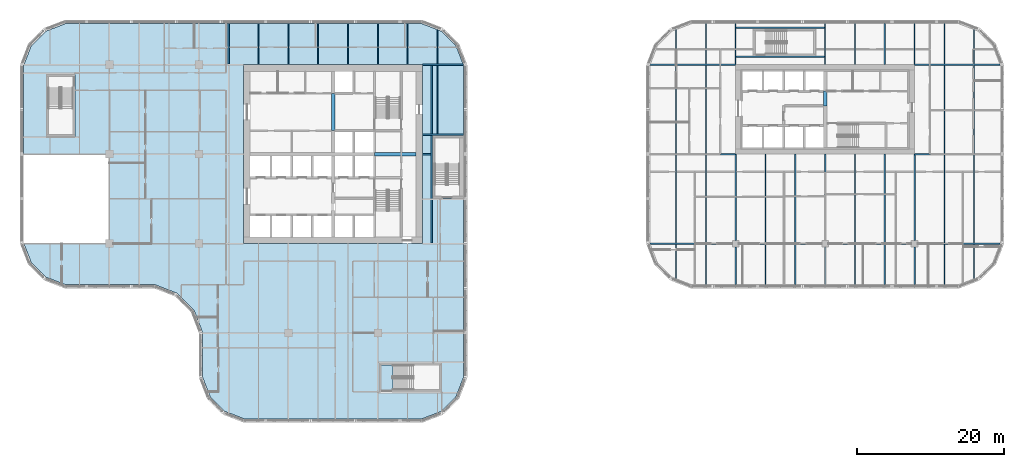
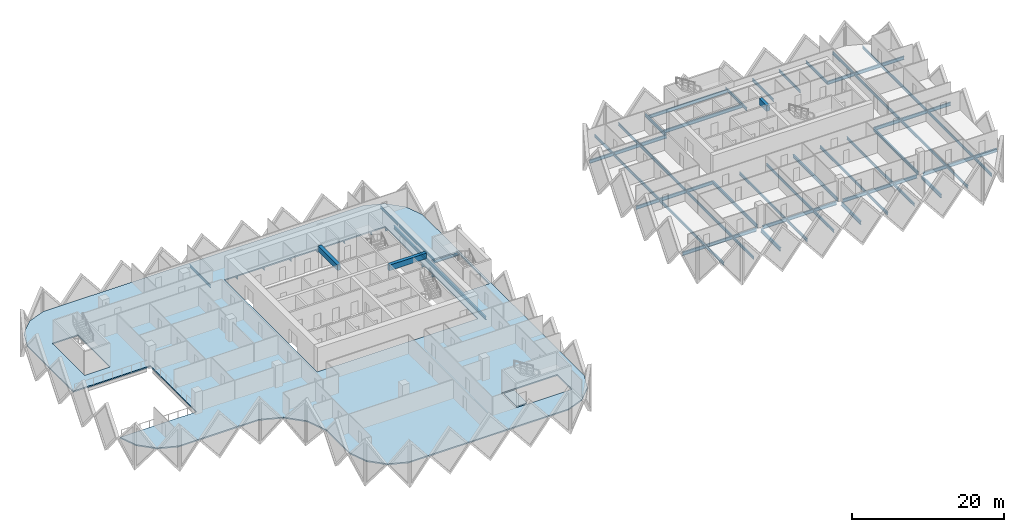
# One storey, part 2 of 19: 61 beams, 2 slabs.
"""IFC4 building model written with IfcOpenShell, lengths in metres."""

import ifcopenshell
import ifcopenshell.guid

model = None  # the IFC model being written
_history = None  # IfcOwnerHistory: only IFC2X3 demands one
_inside = {}  # id of a spatial element -> (the spatial element, [elements in it])
_under = {}  # id of a project, library or spatial element -> (it, [spatial elements below it])
_declared = {}  # id of a project -> (the project, [libraries it declares])
_typed = {}  # id of a type object -> (the type object, [elements of that type])
_made_of = {}  # id of a material, layer set ... -> (it, [elements and type objects made of it])


def new_model(schema):
    """Start an empty IFC model of exactly this schema.

    Asked for "IFC4X3", IfcOpenShell would pick the latest addendum, in which some entities
    have other attributes; the version numbers below select the first issue.
    IFC2X3 requires an IfcOwnerHistory on every rooted entity: one is made here for all.
    """
    global model, _history
    if schema == "IFC4X3":
        model = ifcopenshell.file(schema_version=(4, 3, 0, 0))
    else:
        model = ifcopenshell.file(schema=schema)
    _inside.clear()
    _under.clear()
    _declared.clear()
    _typed.clear()
    _made_of.clear()
    _history = None
    if model.schema == "IFC2X3":
        org = make("IfcOrganization", Name="unknown")
        user = make(
            "IfcPersonAndOrganization",
            ThePerson=make("IfcPerson", FamilyName="unknown"),
            TheOrganization=org,
        )
        app = make(
            "IfcApplication",
            ApplicationDeveloper=org,
            Version="unknown",
            ApplicationFullName="unknown",
            ApplicationIdentifier="unknown",
        )
        _history = make(
            "IfcOwnerHistory",
            OwningUser=user,
            OwningApplication=app,
            ChangeAction="ADDED",
            CreationDate=0,
        )
    return model


def make(cls, **values):
    """One entity of the class cls with the attributes given. An attribute that is None is left unset."""
    return model.create_entity(
        cls, **{name: value for name, value in values.items() if value is not None}
    )


def rooted(cls, **values):
    """An entity with a GlobalId (a new one), such as an element, a storey or a relation."""
    return make(cls, GlobalId=ifcopenshell.guid.new(), OwnerHistory=_history, **values)


def si_unit(unit_type, name, prefix=None):
    """IfcSIUnit, for example si_unit("LENGTHUNIT", "METRE", prefix="MILLI")."""
    return make("IfcSIUnit", UnitType=unit_type, Prefix=prefix, Name=name)


def assignment(units):
    """IfcUnitAssignment: the units of a project."""
    return None if units is None else make("IfcUnitAssignment", Units=units)


def point(xyz):
    """IfcCartesianPoint."""
    return None if xyz is None else make("IfcCartesianPoint", Coordinates=xyz)


def direction(xyz):
    """IfcDirection."""
    return None if xyz is None else make("IfcDirection", DirectionRatios=xyz)


def frame(location, z_axis=None, x_axis=None):
    """IfcAxis2Placement3D, a coordinate frame: its origin and axes. An axis left out is left unset."""
    return make(
        "IfcAxis2Placement3D",
        Location=point(location),
        Axis=direction(z_axis),
        RefDirection=direction(x_axis),
    )


def frame_2d(location, x_axis=None):
    """IfcAxis2Placement2D, a coordinate frame in the plane: its origin and x axis."""
    return make(
        "IfcAxis2Placement2D", Location=point(location), RefDirection=direction(x_axis)
    )


def origin():
    """The frame at (0, 0, 0) with its axes left unset."""
    return frame((0.0, 0.0, 0.0))


def origin_2d():
    """The frame at (0, 0) in the plane with its x axis left unset."""
    return frame_2d((0.0, 0.0))


def place(relative_to, where):
    """IfcLocalPlacement: puts the frame where relative to a parent placement (None: the world)."""
    return make(
        "IfcLocalPlacement", PlacementRelTo=relative_to, RelativePlacement=where
    )


def context(
    kind, dimensions, precision=None, world=None, true_north=None, identifier=None
):
    """IfcGeometricRepresentationContext, for example the 3D "Model" context."""
    return make(
        "IfcGeometricRepresentationContext",
        ContextIdentifier=identifier,
        ContextType=kind,
        CoordinateSpaceDimension=dimensions,
        Precision=precision,
        WorldCoordinateSystem=world,
        TrueNorth=true_north,
    )


def subcontext(parent, identifier, kind, view, scale=None):
    """IfcGeometricRepresentationSubContext, for example "Body" below "Model"."""
    return make(
        "IfcGeometricRepresentationSubContext",
        ContextIdentifier=identifier,
        ContextType=kind,
        ParentContext=parent,
        TargetScale=scale,
        TargetView=view,
    )


def project(units=None, contexts=None):
    """IfcProject with its units and contexts."""
    return rooted(
        "IfcProject",
        Name="project",
        RepresentationContexts=contexts,
        UnitsInContext=assignment(units),
    )


def spatial(cls, under=None, at=None, **own):
    """A site, building, storey or space (cls), placed at a placement, below another one or the project."""
    s = rooted(cls, ObjectPlacement=at, **own)
    if under is not None:
        _under.setdefault(under.id(), (under, []))[1].append(s)
    return s


def polyline(points):
    """IfcPolyline through the points."""
    return make("IfcPolyline", Points=[point(p) for p in points])


def profile(cls, at=None, kind="AREA", **sizes):
    """A parametric profile (cls). Its sizes go by their IFC names, for example OverallWidth=200.0."""
    return make(cls, ProfileType=kind, Position=at, **sizes)


def rectangle(**sizes):
    """IfcRectangleProfileDef."""
    return profile("IfcRectangleProfileDef", **sizes)


def i_section(**sizes):
    """IfcIShapeProfileDef."""
    return profile("IfcIShapeProfileDef", **sizes)


def outline(outer, holes=None, kind="AREA"):
    """IfcArbitraryClosedProfileDef: a profile drawn as a closed curve; with holes, ...WithVoids."""
    if holes is None:
        return make("IfcArbitraryClosedProfileDef", ProfileType=kind, OuterCurve=outer)
    return make(
        "IfcArbitraryProfileDefWithVoids",
        ProfileType=kind,
        OuterCurve=outer,
        InnerCurves=holes,
    )


def extrude(swept, where, along, depth):
    """IfcExtrudedAreaSolid: the profile swept, set in the frame where, extruded along a direction by depth."""
    return make(
        "IfcExtrudedAreaSolid",
        SweptArea=swept,
        Position=where,
        ExtrudedDirection=direction(along),
        Depth=depth,
    )


def shape(context_of_items, identifier, shape_type, items):
    """IfcShapeRepresentation: the items that make up one representation, for example the "Body"."""
    return make(
        "IfcShapeRepresentation",
        ContextOfItems=context_of_items,
        RepresentationIdentifier=identifier,
        RepresentationType=shape_type,
        Items=items,
    )


def material(Name=None, Category=None):
    """IfcMaterial."""
    return make("IfcMaterial", Name=Name, Category=Category)


def layer(
    of_material, thickness, ventilated=None, Name=None, Category=None, Priority=None
):
    """IfcMaterialLayer: one layer of a wall or slab, of a material (None: an air gap)."""
    return make(
        "IfcMaterialLayer",
        Material=of_material,
        LayerThickness=thickness,
        IsVentilated=ventilated,
        Name=Name,
        Category=Category,
        Priority=Priority,
    )


def layer_set(layers, Name=None):
    """IfcMaterialLayerSet."""
    return make("IfcMaterialLayerSet", MaterialLayers=layers, LayerSetName=Name)


def material_profile(
    of_material, cross_section, Name=None, Category=None, Priority=None
):
    """IfcMaterialProfile: a cross section and its material."""
    return make(
        "IfcMaterialProfile",
        Name=Name,
        Material=of_material,
        Profile=cross_section,
        Priority=Priority,
        Category=Category,
    )


def profile_set(profiles, Name=None, composite=None):
    """IfcMaterialProfileSet."""
    return make(
        "IfcMaterialProfileSet",
        Name=Name,
        MaterialProfiles=profiles,
        CompositeProfile=composite,
    )


def made_of(thing, what):
    """Note that an element or type object is made of a material, layer set ...; save() writes the relation."""
    if what is not None:
        _made_of.setdefault(what.id(), (what, []))[1].append(thing)
    return thing


def type_object(cls, material=None, **own):
    """A type object (cls), such as IfcWallType, which elements share."""
    return made_of(rooted(cls, **own), material)


def element(
    cls,
    number,
    at=None,
    inside=None,
    cuts=None,
    type_object=None,
    material=None,
    context=None,
    identifier="Body",
    shape_type=None,
    held_by="IfcProductDefinitionShape",
    body=None,
    shapes=None,
    **own,
):
    """One element of the class cls, such as IfcWall. Its Tag is "e" and its number.

    at: its placement. inside: the storey or other place that contains it. cuts: it is an
    opening in that element (IfcRelVoidsElement). A single representation is given by context,
    identifier, shape_type and body (its items); several are given by shapes. held_by: the class
    of the entity that holds the representations. save() writes the other relations.
    """
    e = rooted(cls, Tag="e%d" % number, ObjectPlacement=at, **own)
    if body is not None:
        shapes = [shape(context, identifier, shape_type, body)]
    if shapes is not None:
        e.Representation = make(held_by, Representations=shapes)
    if inside is not None:
        _inside.setdefault(inside.id(), (inside, []))[1].append(e)
    if cuts is not None:
        rooted(
            "IfcRelVoidsElement", RelatingBuildingElement=cuts, RelatedOpeningElement=e
        )
    if type_object is not None:
        _typed.setdefault(type_object.id(), (type_object, []))[1].append(e)
    return made_of(e, material)


def aggregate(whole, parts):
    """IfcRelAggregates: a whole, such as a stair, and the parts it consists of."""
    return rooted("IfcRelAggregates", RelatingObject=whole, RelatedObjects=parts)


def save(model, path):
    """Write the relations noted so far, then the file.

    IfcRelAggregates (storeys below a building ...), IfcRelContainedInSpatialStructure (elements
    in a storey), IfcRelDefinesByType, IfcRelAssociatesMaterial and IfcRelDeclares: one each for
    every whole, place, type object, material and project.
    """
    for whole, parts in _under.values():
        aggregate(whole, parts)
    for where, things in _inside.values():
        rooted(
            "IfcRelContainedInSpatialStructure",
            RelatedElements=things,
            RelatingStructure=where,
        )
    for kind, things in _typed.values():
        rooted("IfcRelDefinesByType", RelatedObjects=things, RelatingType=kind)
    for what, things in _made_of.values():
        rooted("IfcRelAssociatesMaterial", RelatedObjects=things, RelatingMaterial=what)
    for by, libraries in _declared.values():
        rooted("IfcRelDeclares", RelatingContext=by, RelatedDefinitions=libraries)
    model.write(path)


model = new_model("IFC4")

# Units and contexts
model_context = context("Model", 3, precision=1e-05, world=origin(), true_north=direction((0.0, 1.0)))
body_context = subcontext(model_context, "Body", "Model", "MODEL_VIEW")
ifc_project = project(units=[si_unit("LENGTHUNIT", "METRE"), si_unit("AREAUNIT", "SQUARE_METRE"), si_unit("VOLUMEUNIT", "CUBIC_METRE"), si_unit("PLANEANGLEUNIT", "RADIAN"), si_unit("MASSUNIT", "GRAM", prefix="KILO")], contexts=[model_context])

# Site, building, storey
site_placement = place(None, origin())
site = spatial("IfcSite", under=ifc_project, at=site_placement, CompositionType="ELEMENT")
building_placement = place(site_placement, origin())
building = spatial("IfcBuilding", under=site, at=building_placement, Name="Tessera Gate Towers", CompositionType="ELEMENT")
storey_placement = place(building_placement, frame((0.0, 0.0, 33.39990234375)))
storey = spatial("IfcBuildingStorey", under=building, at=storey_placement, Name="L07", CompositionType="ELEMENT", Elevation=33.39990234375)

# Beams
ifc_material_1 = material(Name="Concrete C60/75", Category="concrete")
ifc_material_profile_1 = material_profile(ifc_material_1, rectangle(XDim=0.5, YDim=0.89990234375, at=origin_2d()), Name="RC 500x900")
ifc_profile_set_1 = profile_set([ifc_material_profile_1], Name="Concrete C60/75")
beam_type_1 = type_object("IfcBeamType", Name="COUPLING BEAM 500x900 C60/75", PredefinedType="BEAM", material=ifc_profile_set_1)
beam_1_placement = place(storey_placement, frame((109.800048828125, 43.199951171875, 3.150146484375), z_axis=(0.0, 1.0, 0.0), x_axis=(-1.0, 0.0, 0.0)))
element("IfcBeam", 1, at=beam_1_placement, inside=storey, type_object=beam_type_1, Name="L07 coupling beam 1", PredefinedType="BEAM", context=body_context, shape_type="SweptSolid", body=[
    extrude(rectangle(XDim=0.5, YDim=0.89990234375, at=origin_2d()), origin(), (0.0, 0.0, 1.0), 2.0),
])
ifc_material_2 = material(Name="Concrete C70/85", Category="concrete")
ifc_material_profile_2 = material_profile(ifc_material_2, rectangle(XDim=0.5, YDim=0.89990234375, at=origin_2d()), Name="RC 500x900")
ifc_profile_set_2 = profile_set([ifc_material_profile_2], Name="Concrete C70/85")
beam_type_2 = type_object("IfcBeamType", Name="COUPLING BEAM 500x900 C70/85", PredefinedType="BEAM", material=ifc_profile_set_2)
beam_2_placement = place(storey_placement, frame((48.35009765625, 36.60009765625, 3.150146484375), z_axis=(1.0, 0.0, 0.0), x_axis=(0.0, 1.0, 0.0)))
element("IfcBeam", 2, at=beam_2_placement, inside=storey, type_object=beam_type_2, Name="L07 coupling beam 1", PredefinedType="BEAM", context=body_context, shape_type="SweptSolid", body=[
    extrude(rectangle(XDim=0.5, YDim=0.89990234375, at=origin_2d()), origin(), (0.0, 0.0, 1.0), 5.64990234375),
])
beam_3_placement = place(storey_placement, frame((42.699951171875, 39.800048828125, 3.150146484375), z_axis=(0.0, 1.0, 0.0), x_axis=(-1.0, 0.0, 0.0)))
element("IfcBeam", 3, at=beam_3_placement, inside=storey, type_object=beam_type_2, Name="L07 coupling beam 2", PredefinedType="BEAM", context=body_context, shape_type="SweptSolid", body=[
    extrude(rectangle(XDim=0.5, YDim=0.89990234375, at=origin_2d()), origin(), (0.0, 0.0, 1.0), 5.099853515625),
])
ifc_material_3 = material(Name="Steel 350W", Category="steel")
ifc_material_profile_3 = material_profile(ifc_material_3, i_section(OverallWidth=0.208984375, OverallDepth=0.532958984375, WebThickness=0.01025390625, FlangeThickness=0.015625, at=origin_2d()), Name="W530x92")
ifc_profile_set_3 = profile_set([ifc_material_profile_3], Name="Steel 350W")
beam_type_3 = type_object("IfcBeamType", Name="FLOOR GIRDER W530x92", PredefinedType="BEAM", material=ifc_profile_set_3)
beam_4_placement = place(storey_placement, frame((54.89892578125, 36.60009765625, -0.46630859375), z_axis=(1.0, 0.0, 0.0), x_axis=(0.0, 1.0, 0.0)))
element("IfcBeam", 4, at=beam_4_placement, inside=storey, type_object=beam_type_3, Name="T1-GD-L07-1167", PredefinedType="BEAM", context=body_context, shape_type="SweptSolid", body=[
    extrude(i_section(OverallWidth=0.208984375, OverallDepth=0.532958984375, WebThickness=0.01025390625, FlangeThickness=0.015625, at=origin_2d()), origin(), (0.0, 0.0, 1.0), 1.176513671875),
])
beam_5_placement = place(storey_placement, frame((54.90087890625, 48.800048828125, -0.46630859375), z_axis=(1.0, 0.0, 0.0), x_axis=(0.0, 1.0, 0.0)))
element("IfcBeam", 5, at=beam_5_placement, inside=storey, type_object=beam_type_3, Name="T1-GD-L07-1171", PredefinedType="BEAM", context=body_context, shape_type="SweptSolid", body=[
    extrude(i_section(OverallWidth=0.208984375, OverallDepth=0.532958984375, WebThickness=0.01025390625, FlangeThickness=0.015625, at=origin_2d()), origin(), (0.0, 0.0, 1.0), 5.564208984375),
])
beam_6_placement = place(storey_placement, frame((54.89892578125, 39.219970703125, -0.46630859375), z_axis=(1.0, 0.0, 0.0), x_axis=(0.0, 1.0, 0.0)))
element("IfcBeam", 6, at=beam_6_placement, inside=storey, type_object=beam_type_3, Name="T1-GD-L07-1189", PredefinedType="BEAM", context=body_context, shape_type="SweptSolid", body=[
    extrude(i_section(OverallWidth=0.208984375, OverallDepth=0.532958984375, WebThickness=0.01025390625, FlangeThickness=0.015625, at=origin_2d()), origin(), (0.0, 0.0, 1.0), 5.60205078125),
])
beam_7_placement = place(storey_placement, frame((56.179931640625, 24.50439453125, -0.46630859375), z_axis=(0.0, 1.0, 0.0), x_axis=(-1.0, 0.0, 0.0)))
element("IfcBeam", 7, at=beam_7_placement, inside=storey, type_object=beam_type_3, Name="T1-GD-L07-1190", PredefinedType="BEAM", context=body_context, shape_type="SweptSolid", body=[
    extrude(i_section(OverallWidth=0.208984375, OverallDepth=0.532958984375, WebThickness=0.01025390625, FlangeThickness=0.015625, at=origin_2d()), origin(), (0.0, 0.0, 1.0), 24.191162109375),
])
beam_8_placement = place(storey_placement, frame((85.934814453125, 24.39990234375, -0.46630859375), z_axis=(1.0, 0.0, 0.0), x_axis=(0.0, 1.0, 0.0)))
element("IfcBeam", 8, at=beam_8_placement, inside=storey, type_object=beam_type_3, Name="T2-GD-L07-1231", PredefinedType="BEAM", context=body_context, shape_type="SweptSolid", body=[
    extrude(i_section(OverallWidth=0.208984375, OverallDepth=0.532958984375, WebThickness=0.01025390625, FlangeThickness=0.015625, at=origin_2d()), origin(), (0.0, 0.0, 1.0), 11.215087890625),
])
for number, where, z_axis, x_axis, name in (
    (9, (98.050048828125, 24.39990234375, -0.46630859375), (1.0, 0.0, 0.0), (0.0, 1.0, 0.0), "T2-GD-L07-1232"),
    (10, (110.25, 24.39990234375, -0.46630859375), (1.0, 0.0, 0.0), (0.0, 1.0, 0.0), "T2-GD-L07-1233"),
):
    element("IfcBeam", number, at=place(storey_placement, frame(where, z_axis=z_axis, x_axis=x_axis)), inside=storey, type_object=beam_type_3, Name=name, PredefinedType="BEAM", context=body_context, shape_type="SweptSolid", body=[
        extrude(i_section(OverallWidth=0.208984375, OverallDepth=0.532958984375, WebThickness=0.01025390625, FlangeThickness=0.015625, at=origin_2d()), origin(), (0.0, 0.0, 1.0), 11.300048828125),
    ])
beam_9_placement = place(storey_placement, frame((122.449951171875, 24.39990234375, -0.46630859375), z_axis=(1.0, 0.0, 0.0), x_axis=(0.0, 1.0, 0.0)))
element("IfcBeam", 11, at=beam_9_placement, inside=storey, type_object=beam_type_3, Name="T2-GD-L07-1234", PredefinedType="BEAM", context=body_context, shape_type="SweptSolid", body=[
    extrude(i_section(OverallWidth=0.208984375, OverallDepth=0.532958984375, WebThickness=0.01025390625, FlangeThickness=0.015625, at=origin_2d()), origin(), (0.0, 0.0, 1.0), 11.21533203125),
])
beam_10_placement = place(storey_placement, frame((85.89892578125, 36.60009765625, -0.46630859375), z_axis=(1.0, 0.0, 0.0), x_axis=(0.0, 1.0, 0.0)))
element("IfcBeam", 12, at=beam_10_placement, inside=storey, type_object=beam_type_3, Name="T2-GD-L07-1235", PredefinedType="BEAM", context=body_context, shape_type="SweptSolid", body=[
    extrude(i_section(OverallWidth=0.208984375, OverallDepth=0.532958984375, WebThickness=0.01025390625, FlangeThickness=0.015625, at=origin_2d()), origin(), (0.0, 0.0, 1.0), 11.7001953125),
])
beam_11_placement = place(storey_placement, frame((122.0009765625, 36.60009765625, -0.46630859375), z_axis=(1.0, 0.0, 0.0), x_axis=(0.0, 1.0, 0.0)))
element("IfcBeam", 13, at=beam_11_placement, inside=storey, type_object=beam_type_3, Name="T2-GD-L07-1236", PredefinedType="BEAM", context=body_context, shape_type="SweptSolid", body=[
    extrude(i_section(OverallWidth=0.208984375, OverallDepth=0.532958984375, WebThickness=0.01025390625, FlangeThickness=0.015625, at=origin_2d()), origin(), (0.0, 0.0, 1.0), 11.699951171875),
])
for number, where, z_axis, x_axis, name in (
    (14, (85.934814453125, 48.800048828125, -0.46630859375), (1.0, 0.0, 0.0), (0.0, 1.0, 0.0), "T2-GD-L07-1237"),
    (15, (122.0009765625, 48.800048828125, -0.46630859375), (1.0, 0.0, 0.0), (0.0, 1.0, 0.0), "T2-GD-L07-1238"),
):
    element("IfcBeam", number, at=place(storey_placement, frame(where, z_axis=z_axis, x_axis=x_axis)), inside=storey, type_object=beam_type_3, Name=name, PredefinedType="BEAM", context=body_context, shape_type="SweptSolid", body=[
        extrude(i_section(OverallWidth=0.208984375, OverallDepth=0.532958984375, WebThickness=0.01025390625, FlangeThickness=0.015625, at=origin_2d()), origin(), (0.0, 0.0, 1.0), 11.664306640625),
    ])
beam_12_placement = place(storey_placement, frame((97.60009765625, 18.799072265625, -0.46630859375), z_axis=(0.0, 1.0, 0.0), x_axis=(-1.0, 0.0, 0.0)))
element("IfcBeam", 16, at=beam_12_placement, inside=storey, type_object=beam_type_3, Name="T2-GD-L07-1239", PredefinedType="BEAM", context=body_context, shape_type="SweptSolid", body=[
    extrude(i_section(OverallWidth=0.208984375, OverallDepth=0.532958984375, WebThickness=0.01025390625, FlangeThickness=0.015625, at=origin_2d()), origin(), (0.0, 0.0, 1.0), 5.15087890625),
])
beam_13_placement = place(storey_placement, frame((97.60009765625, 24.85009765625, -0.46630859375), z_axis=(0.0, 1.0, 0.0), x_axis=(-1.0, 0.0, 0.0)))
element("IfcBeam", 17, at=beam_13_placement, inside=storey, type_object=beam_type_3, Name="T2-GD-L07-1240", PredefinedType="BEAM", context=body_context, shape_type="SweptSolid", body=[
    extrude(i_section(OverallWidth=0.208984375, OverallDepth=0.532958984375, WebThickness=0.01025390625, FlangeThickness=0.015625, at=origin_2d()), origin(), (0.0, 0.0, 1.0), 11.75),
])
beam_14_placement = place(storey_placement, frame((109.800048828125, 18.799072265625, -0.46630859375), z_axis=(0.0, 1.0, 0.0), x_axis=(-1.0, 0.0, 0.0)))
element("IfcBeam", 18, at=beam_14_placement, inside=storey, type_object=beam_type_3, Name="T2-GD-L07-1241", PredefinedType="BEAM", context=body_context, shape_type="SweptSolid", body=[
    extrude(i_section(OverallWidth=0.208984375, OverallDepth=0.532958984375, WebThickness=0.01025390625, FlangeThickness=0.015625, at=origin_2d()), origin(), (0.0, 0.0, 1.0), 5.15087890625),
])
beam_15_placement = place(storey_placement, frame((109.800048828125, 24.85009765625, -0.46630859375), z_axis=(0.0, 1.0, 0.0), x_axis=(-1.0, 0.0, 0.0)))
element("IfcBeam", 19, at=beam_15_placement, inside=storey, type_object=beam_type_3, Name="T2-GD-L07-1242", PredefinedType="BEAM", context=body_context, shape_type="SweptSolid", body=[
    extrude(i_section(OverallWidth=0.208984375, OverallDepth=0.532958984375, WebThickness=0.01025390625, FlangeThickness=0.015625, at=origin_2d()), origin(), (0.0, 0.0, 1.0), 11.75),
])
beam_16_placement = place(storey_placement, frame((122.0, 18.799072265625, -0.46630859375), z_axis=(0.0, 1.0, 0.0), x_axis=(-1.0, 0.0, 0.0)))
element("IfcBeam", 20, at=beam_16_placement, inside=storey, type_object=beam_type_3, Name="T2-GD-L07-1243", PredefinedType="BEAM", context=body_context, shape_type="SweptSolid", body=[
    extrude(i_section(OverallWidth=0.208984375, OverallDepth=0.532958984375, WebThickness=0.01025390625, FlangeThickness=0.015625, at=origin_2d()), origin(), (0.0, 0.0, 1.0), 5.15087890625),
])
beam_17_placement = place(storey_placement, frame((122.0, 24.85009765625, -0.46630859375), z_axis=(0.0, 1.0, 0.0), x_axis=(-1.0, 0.0, 0.0)))
element("IfcBeam", 21, at=beam_17_placement, inside=storey, type_object=beam_type_3, Name="T2-GD-L07-1244", PredefinedType="BEAM", context=body_context, shape_type="SweptSolid", body=[
    extrude(i_section(OverallWidth=0.208984375, OverallDepth=0.532958984375, WebThickness=0.01025390625, FlangeThickness=0.015625, at=origin_2d()), origin(), (0.0, 0.0, 1.0), 11.75),
])
for number, where, z_axis, x_axis, name in (
    (22, (97.676513671875, 49.8798828125, -0.46630859375), (1.0, 0.0, 0.0), (0.0, 1.0, 0.0), "T2-GD-L07-1245"),
    (23, (97.676513671875, 53.820068359375, -0.46630859375), (1.0, 0.0, 0.0), (0.0, 1.0, 0.0), "T2-GD-L07-1246"),
):
    element("IfcBeam", number, at=place(storey_placement, frame(where, z_axis=z_axis, x_axis=x_axis)), inside=storey, type_object=beam_type_3, Name=name, PredefinedType="BEAM", context=body_context, shape_type="SweptSolid", body=[
        extrude(i_section(OverallWidth=0.208984375, OverallDepth=0.532958984375, WebThickness=0.01025390625, FlangeThickness=0.015625, at=origin_2d()), origin(), (0.0, 0.0, 1.0), 12.046875),
    ])
ifc_material_4 = material(Name="Steel 350W", Category="steel")
ifc_material_profile_4 = material_profile(ifc_material_4, i_section(OverallWidth=0.153076171875, OverallDepth=0.455078125, WebThickness=0.008056640625, FlangeThickness=0.01318359375, at=origin_2d()), Name="W460x60")
ifc_profile_set_4 = profile_set([ifc_material_profile_4], Name="Steel 350W")
beam_type_4 = type_object("IfcBeamType", Name="FLOOR SECONDARY W460x60", PredefinedType="BEAM", material=ifc_profile_set_4)
beam_18_placement = place(storey_placement, frame((28.466796875, 48.904541015625, -0.427490234375), z_axis=(0.0, 1.0, 0.0), x_axis=(-1.0, 0.0, 0.0)))
element("IfcBeam", 24, at=beam_18_placement, inside=storey, type_object=beam_type_4, Name="T1-BM-L07-1209", PredefinedType="BEAM", context=body_context, shape_type="SweptSolid", body=[
    extrude(i_section(OverallWidth=0.153076171875, OverallDepth=0.455078125, WebThickness=0.008056640625, FlangeThickness=0.01318359375, at=origin_2d()), origin(), (0.0, 0.0, 1.0), 5.495361328125),
])
for number, where, z_axis, x_axis, name in (
    (25, (32.533203125, 48.800048828125, -0.427490234375), (0.0, 1.0, 0.0), (-1.0, 0.0, 0.0), "T1-BM-L07-1212"),
    (26, (36.60009765625, 48.800048828125, -0.427490234375), (0.0, 1.0, 0.0), (-1.0, 0.0, 0.0), "T1-BM-L07-1213"),
    (27, (40.666748046875, 48.800048828125, -0.427490234375), (0.0, 1.0, 0.0), (-1.0, 0.0, 0.0), "T1-BM-L07-1216"),
    (28, (44.7333984375, 48.800048828125, -0.427490234375), (0.0, 1.0, 0.0), (-1.0, 0.0, 0.0), "T1-BM-L07-1219"),
    (29, (48.800048828125, 48.800048828125, -0.427490234375), (0.0, 1.0, 0.0), (-1.0, 0.0, 0.0), "T1-BM-L07-1220"),
    (30, (52.86669921875, 48.800048828125, -0.427490234375), (0.0, 1.0, 0.0), (-1.0, 0.0, 0.0), "T1-BM-L07-1224"),
):
    element("IfcBeam", number, at=place(storey_placement, frame(where, z_axis=z_axis, x_axis=x_axis)), inside=storey, type_object=beam_type_4, Name=name, PredefinedType="BEAM", context=body_context, shape_type="SweptSolid", body=[
        extrude(i_section(OverallWidth=0.153076171875, OverallDepth=0.455078125, WebThickness=0.008056640625, FlangeThickness=0.01318359375, at=origin_2d()), origin(), (0.0, 0.0, 1.0), 5.599853515625),
    ])
beam_19_placement = place(storey_placement, frame((56.933349609375, 39.324462890625, -0.427490234375), z_axis=(0.0, 1.0, 0.0), x_axis=(-1.0, 0.0, 0.0)))
element("IfcBeam", 31, at=beam_19_placement, inside=storey, type_object=beam_type_4, Name="T1-BM-L07-1229", PredefinedType="BEAM", context=body_context, shape_type="SweptSolid", body=[
    extrude(i_section(OverallWidth=0.153076171875, OverallDepth=0.455078125, WebThickness=0.008056640625, FlangeThickness=0.01318359375, at=origin_2d()), origin(), (0.0, 0.0, 1.0), 9.37109375),
])
for number, where, z_axis, x_axis, name in (
    (32, (56.933349609375, 48.904541015625, -0.427490234375), (0.0, 1.0, 0.0), (-1.0, 0.0, 0.0), "T1-BM-L07-1230"),
    (33, (89.466796875, 19.620361328125, -0.427490234375), (0.0, 1.0, 0.0), (-1.0, 0.0, 0.0), "T2-BM-L07-1247"),
):
    element("IfcBeam", number, at=place(storey_placement, frame(where, z_axis=z_axis, x_axis=x_axis)), inside=storey, type_object=beam_type_4, Name=name, PredefinedType="BEAM", context=body_context, shape_type="SweptSolid", body=[
        extrude(i_section(OverallWidth=0.153076171875, OverallDepth=0.455078125, WebThickness=0.008056640625, FlangeThickness=0.01318359375, at=origin_2d()), origin(), (0.0, 0.0, 1.0), 4.675048828125),
    ])
beam_20_placement = place(storey_placement, frame((89.466796875, 24.50439453125, -0.427490234375), z_axis=(0.0, 1.0, 0.0), x_axis=(-1.0, 0.0, 0.0)))
element("IfcBeam", 34, at=beam_20_placement, inside=storey, type_object=beam_type_4, Name="T2-BM-L07-1248", PredefinedType="BEAM", context=body_context, shape_type="SweptSolid", body=[
    extrude(i_section(OverallWidth=0.153076171875, OverallDepth=0.455078125, WebThickness=0.008056640625, FlangeThickness=0.01318359375, at=origin_2d()), origin(), (0.0, 0.0, 1.0), 11.9912109375),
])
beam_21_placement = place(storey_placement, frame((89.466796875, 36.70458984375, -0.427490234375), z_axis=(0.0, 1.0, 0.0), x_axis=(-1.0, 0.0, 0.0)))
element("IfcBeam", 35, at=beam_21_placement, inside=storey, type_object=beam_type_4, Name="T2-BM-L07-1249", PredefinedType="BEAM", context=body_context, shape_type="SweptSolid", body=[
    extrude(i_section(OverallWidth=0.153076171875, OverallDepth=0.455078125, WebThickness=0.008056640625, FlangeThickness=0.01318359375, at=origin_2d()), origin(), (0.0, 0.0, 1.0), 11.990966796875),
])
beam_22_placement = place(storey_placement, frame((89.466796875, 48.904541015625, -0.427490234375), z_axis=(0.0, 1.0, 0.0), x_axis=(-1.0, 0.0, 0.0)))
element("IfcBeam", 36, at=beam_22_placement, inside=storey, type_object=beam_type_4, Name="T2-BM-L07-1250", PredefinedType="BEAM", context=body_context, shape_type="SweptSolid", body=[
    extrude(i_section(OverallWidth=0.153076171875, OverallDepth=0.455078125, WebThickness=0.008056640625, FlangeThickness=0.01318359375, at=origin_2d()), origin(), (0.0, 0.0, 1.0), 4.675048828125),
])
beam_23_placement = place(storey_placement, frame((93.533203125, 18.800048828125, -0.427490234375), z_axis=(0.0, 1.0, 0.0), x_axis=(-1.0, 0.0, 0.0)))
element("IfcBeam", 37, at=beam_23_placement, inside=storey, type_object=beam_type_4, Name="T2-BM-L07-1251", PredefinedType="BEAM", context=body_context, shape_type="SweptSolid", body=[
    extrude(i_section(OverallWidth=0.153076171875, OverallDepth=0.455078125, WebThickness=0.008056640625, FlangeThickness=0.01318359375, at=origin_2d()), origin(), (0.0, 0.0, 1.0), 5.495361328125),
])
beam_24_placement = place(storey_placement, frame((93.533203125, 24.50439453125, -0.427490234375), z_axis=(0.0, 1.0, 0.0), x_axis=(-1.0, 0.0, 0.0)))
element("IfcBeam", 38, at=beam_24_placement, inside=storey, type_object=beam_type_4, Name="T2-BM-L07-1252", PredefinedType="BEAM", context=body_context, shape_type="SweptSolid", body=[
    extrude(i_section(OverallWidth=0.153076171875, OverallDepth=0.455078125, WebThickness=0.008056640625, FlangeThickness=0.01318359375, at=origin_2d()), origin(), (0.0, 0.0, 1.0), 11.9912109375),
])
beam_25_placement = place(storey_placement, frame((93.533203125, 36.70458984375, -0.427490234375), z_axis=(0.0, 1.0, 0.0), x_axis=(-1.0, 0.0, 0.0)))
element("IfcBeam", 39, at=beam_25_placement, inside=storey, type_object=beam_type_4, Name="T2-BM-L07-1253", PredefinedType="BEAM", context=body_context, shape_type="SweptSolid", body=[
    extrude(i_section(OverallWidth=0.153076171875, OverallDepth=0.455078125, WebThickness=0.008056640625, FlangeThickness=0.01318359375, at=origin_2d()), origin(), (0.0, 0.0, 1.0), 11.990966796875),
])
beam_26_placement = place(storey_placement, frame((93.533203125, 48.904541015625, -0.427490234375), z_axis=(0.0, 1.0, 0.0), x_axis=(-1.0, 0.0, 0.0)))
element("IfcBeam", 40, at=beam_26_placement, inside=storey, type_object=beam_type_4, Name="T2-BM-L07-1254", PredefinedType="BEAM", context=body_context, shape_type="SweptSolid", body=[
    extrude(i_section(OverallWidth=0.153076171875, OverallDepth=0.455078125, WebThickness=0.008056640625, FlangeThickness=0.01318359375, at=origin_2d()), origin(), (0.0, 0.0, 1.0), 5.495361328125),
])
beam_27_placement = place(storey_placement, frame((97.60009765625, 48.800048828125, -0.427490234375), z_axis=(0.0, 1.0, 0.0), x_axis=(-1.0, 0.0, 0.0)))
element("IfcBeam", 41, at=beam_27_placement, inside=storey, type_object=beam_type_4, Name="T2-BM-L07-1255", PredefinedType="BEAM", context=body_context, shape_type="SweptSolid", body=[
    extrude(i_section(OverallWidth=0.153076171875, OverallDepth=0.455078125, WebThickness=0.008056640625, FlangeThickness=0.01318359375, at=origin_2d()), origin(), (0.0, 0.0, 1.0), 5.599853515625),
])
beam_28_placement = place(storey_placement, frame((101.666748046875, 18.800048828125, -0.427490234375), z_axis=(0.0, 1.0, 0.0), x_axis=(-1.0, 0.0, 0.0)))
element("IfcBeam", 42, at=beam_28_placement, inside=storey, type_object=beam_type_4, Name="T2-BM-L07-1256", PredefinedType="BEAM", context=body_context, shape_type="SweptSolid", body=[
    extrude(i_section(OverallWidth=0.153076171875, OverallDepth=0.455078125, WebThickness=0.008056640625, FlangeThickness=0.01318359375, at=origin_2d()), origin(), (0.0, 0.0, 1.0), 5.495361328125),
])
beam_29_placement = place(storey_placement, frame((101.666748046875, 24.50439453125, -0.427490234375), z_axis=(0.0, 1.0, 0.0), x_axis=(-1.0, 0.0, 0.0)))
element("IfcBeam", 43, at=beam_29_placement, inside=storey, type_object=beam_type_4, Name="T2-BM-L07-1257", PredefinedType="BEAM", context=body_context, shape_type="SweptSolid", body=[
    extrude(i_section(OverallWidth=0.153076171875, OverallDepth=0.455078125, WebThickness=0.008056640625, FlangeThickness=0.01318359375, at=origin_2d()), origin(), (0.0, 0.0, 1.0), 12.095703125),
])
beam_30_placement = place(storey_placement, frame((105.7333984375, 18.800048828125, -0.427490234375), z_axis=(0.0, 1.0, 0.0), x_axis=(-1.0, 0.0, 0.0)))
element("IfcBeam", 44, at=beam_30_placement, inside=storey, type_object=beam_type_4, Name="T2-BM-L07-1258", PredefinedType="BEAM", context=body_context, shape_type="SweptSolid", body=[
    extrude(i_section(OverallWidth=0.153076171875, OverallDepth=0.455078125, WebThickness=0.008056640625, FlangeThickness=0.01318359375, at=origin_2d()), origin(), (0.0, 0.0, 1.0), 5.495361328125),
])
beam_31_placement = place(storey_placement, frame((105.7333984375, 24.50439453125, -0.427490234375), z_axis=(0.0, 1.0, 0.0), x_axis=(-1.0, 0.0, 0.0)))
element("IfcBeam", 45, at=beam_31_placement, inside=storey, type_object=beam_type_4, Name="T2-BM-L07-1259", PredefinedType="BEAM", context=body_context, shape_type="SweptSolid", body=[
    extrude(i_section(OverallWidth=0.153076171875, OverallDepth=0.455078125, WebThickness=0.008056640625, FlangeThickness=0.01318359375, at=origin_2d()), origin(), (0.0, 0.0, 1.0), 12.095703125),
])
beam_32_placement = place(storey_placement, frame((109.800048828125, 48.800048828125, -0.427490234375), z_axis=(0.0, 1.0, 0.0), x_axis=(-1.0, 0.0, 0.0)))
element("IfcBeam", 46, at=beam_32_placement, inside=storey, type_object=beam_type_4, Name="T2-BM-L07-1260", PredefinedType="BEAM", context=body_context, shape_type="SweptSolid", body=[
    extrude(i_section(OverallWidth=0.153076171875, OverallDepth=0.455078125, WebThickness=0.008056640625, FlangeThickness=0.01318359375, at=origin_2d()), origin(), (0.0, 0.0, 1.0), 5.599853515625),
])
beam_33_placement = place(storey_placement, frame((113.86669921875, 18.800048828125, -0.427490234375), z_axis=(0.0, 1.0, 0.0), x_axis=(-1.0, 0.0, 0.0)))
element("IfcBeam", 47, at=beam_33_placement, inside=storey, type_object=beam_type_4, Name="T2-BM-L07-1261", PredefinedType="BEAM", context=body_context, shape_type="SweptSolid", body=[
    extrude(i_section(OverallWidth=0.153076171875, OverallDepth=0.455078125, WebThickness=0.008056640625, FlangeThickness=0.01318359375, at=origin_2d()), origin(), (0.0, 0.0, 1.0), 5.495361328125),
])
beam_34_placement = place(storey_placement, frame((113.86669921875, 24.50439453125, -0.427490234375), z_axis=(0.0, 1.0, 0.0), x_axis=(-1.0, 0.0, 0.0)))
element("IfcBeam", 48, at=beam_34_placement, inside=storey, type_object=beam_type_4, Name="T2-BM-L07-1262", PredefinedType="BEAM", context=body_context, shape_type="SweptSolid", body=[
    extrude(i_section(OverallWidth=0.153076171875, OverallDepth=0.455078125, WebThickness=0.008056640625, FlangeThickness=0.01318359375, at=origin_2d()), origin(), (0.0, 0.0, 1.0), 12.095703125),
])
beam_35_placement = place(storey_placement, frame((113.86669921875, 48.800048828125, -0.427490234375), z_axis=(0.0, 1.0, 0.0), x_axis=(-1.0, 0.0, 0.0)))
element("IfcBeam", 49, at=beam_35_placement, inside=storey, type_object=beam_type_4, Name="T2-BM-L07-1263", PredefinedType="BEAM", context=body_context, shape_type="SweptSolid", body=[
    extrude(i_section(OverallWidth=0.153076171875, OverallDepth=0.455078125, WebThickness=0.008056640625, FlangeThickness=0.01318359375, at=origin_2d()), origin(), (0.0, 0.0, 1.0), 5.599853515625),
])
beam_36_placement = place(storey_placement, frame((117.933349609375, 18.800048828125, -0.427490234375), z_axis=(0.0, 1.0, 0.0), x_axis=(-1.0, 0.0, 0.0)))
element("IfcBeam", 50, at=beam_36_placement, inside=storey, type_object=beam_type_4, Name="T2-BM-L07-1264", PredefinedType="BEAM", context=body_context, shape_type="SweptSolid", body=[
    extrude(i_section(OverallWidth=0.153076171875, OverallDepth=0.455078125, WebThickness=0.008056640625, FlangeThickness=0.01318359375, at=origin_2d()), origin(), (0.0, 0.0, 1.0), 5.495361328125),
])
beam_37_placement = place(storey_placement, frame((117.933349609375, 24.50439453125, -0.427490234375), z_axis=(0.0, 1.0, 0.0), x_axis=(-1.0, 0.0, 0.0)))
element("IfcBeam", 51, at=beam_37_placement, inside=storey, type_object=beam_type_4, Name="T2-BM-L07-1265", PredefinedType="BEAM", context=body_context, shape_type="SweptSolid", body=[
    extrude(i_section(OverallWidth=0.153076171875, OverallDepth=0.455078125, WebThickness=0.008056640625, FlangeThickness=0.01318359375, at=origin_2d()), origin(), (0.0, 0.0, 1.0), 12.095703125),
])
for number, where, z_axis, x_axis, name in (
    (52, (117.933349609375, 48.800048828125, -0.427490234375), (0.0, 1.0, 0.0), (-1.0, 0.0, 0.0), "T2-BM-L07-1266"),
    (53, (122.0, 48.800048828125, -0.427490234375), (0.0, 1.0, 0.0), (-1.0, 0.0, 0.0), "T2-BM-L07-1267"),
):
    element("IfcBeam", number, at=place(storey_placement, frame(where, z_axis=z_axis, x_axis=x_axis)), inside=storey, type_object=beam_type_4, Name=name, PredefinedType="BEAM", context=body_context, shape_type="SweptSolid", body=[
        extrude(i_section(OverallWidth=0.153076171875, OverallDepth=0.455078125, WebThickness=0.008056640625, FlangeThickness=0.01318359375, at=origin_2d()), origin(), (0.0, 0.0, 1.0), 5.599853515625),
    ])
beam_38_placement = place(storey_placement, frame((126.066650390625, 18.800048828125, -0.427490234375), z_axis=(0.0, 1.0, 0.0), x_axis=(-1.0, 0.0, 0.0)))
element("IfcBeam", 54, at=beam_38_placement, inside=storey, type_object=beam_type_4, Name="T2-BM-L07-1268", PredefinedType="BEAM", context=body_context, shape_type="SweptSolid", body=[
    extrude(i_section(OverallWidth=0.153076171875, OverallDepth=0.455078125, WebThickness=0.008056640625, FlangeThickness=0.01318359375, at=origin_2d()), origin(), (0.0, 0.0, 1.0), 5.495361328125),
])
beam_39_placement = place(storey_placement, frame((126.066650390625, 24.50439453125, -0.427490234375), z_axis=(0.0, 1.0, 0.0), x_axis=(-1.0, 0.0, 0.0)))
element("IfcBeam", 55, at=beam_39_placement, inside=storey, type_object=beam_type_4, Name="T2-BM-L07-1269", PredefinedType="BEAM", context=body_context, shape_type="SweptSolid", body=[
    extrude(i_section(OverallWidth=0.153076171875, OverallDepth=0.455078125, WebThickness=0.008056640625, FlangeThickness=0.01318359375, at=origin_2d()), origin(), (0.0, 0.0, 1.0), 11.9912109375),
])
beam_40_placement = place(storey_placement, frame((126.066650390625, 36.70458984375, -0.427490234375), z_axis=(0.0, 1.0, 0.0), x_axis=(-1.0, 0.0, 0.0)))
element("IfcBeam", 56, at=beam_40_placement, inside=storey, type_object=beam_type_4, Name="T2-BM-L07-1270", PredefinedType="BEAM", context=body_context, shape_type="SweptSolid", body=[
    extrude(i_section(OverallWidth=0.153076171875, OverallDepth=0.455078125, WebThickness=0.008056640625, FlangeThickness=0.01318359375, at=origin_2d()), origin(), (0.0, 0.0, 1.0), 11.990966796875),
])
beam_41_placement = place(storey_placement, frame((126.066650390625, 48.904541015625, -0.427490234375), z_axis=(0.0, 1.0, 0.0), x_axis=(-1.0, 0.0, 0.0)))
element("IfcBeam", 57, at=beam_41_placement, inside=storey, type_object=beam_type_4, Name="T2-BM-L07-1271", PredefinedType="BEAM", context=body_context, shape_type="SweptSolid", body=[
    extrude(i_section(OverallWidth=0.153076171875, OverallDepth=0.455078125, WebThickness=0.008056640625, FlangeThickness=0.01318359375, at=origin_2d()), origin(), (0.0, 0.0, 1.0), 5.495361328125),
])
beam_42_placement = place(storey_placement, frame((130.13330078125, 19.620361328125, -0.427490234375), z_axis=(0.0, 1.0, 0.0), x_axis=(-1.0, 0.0, 0.0)))
element("IfcBeam", 58, at=beam_42_placement, inside=storey, type_object=beam_type_4, Name="T2-BM-L07-1272", PredefinedType="BEAM", context=body_context, shape_type="SweptSolid", body=[
    extrude(i_section(OverallWidth=0.153076171875, OverallDepth=0.455078125, WebThickness=0.008056640625, FlangeThickness=0.01318359375, at=origin_2d()), origin(), (0.0, 0.0, 1.0), 4.675048828125),
])
beam_43_placement = place(storey_placement, frame((130.13330078125, 24.50439453125, -0.427490234375), z_axis=(0.0, 1.0, 0.0), x_axis=(-1.0, 0.0, 0.0)))
element("IfcBeam", 59, at=beam_43_placement, inside=storey, type_object=beam_type_4, Name="T2-BM-L07-1273", PredefinedType="BEAM", context=body_context, shape_type="SweptSolid", body=[
    extrude(i_section(OverallWidth=0.153076171875, OverallDepth=0.455078125, WebThickness=0.008056640625, FlangeThickness=0.01318359375, at=origin_2d()), origin(), (0.0, 0.0, 1.0), 11.9912109375),
])
beam_44_placement = place(storey_placement, frame((130.13330078125, 36.70458984375, -0.427490234375), z_axis=(0.0, 1.0, 0.0), x_axis=(-1.0, 0.0, 0.0)))
element("IfcBeam", 60, at=beam_44_placement, inside=storey, type_object=beam_type_4, Name="T2-BM-L07-1274", PredefinedType="BEAM", context=body_context, shape_type="SweptSolid", body=[
    extrude(i_section(OverallWidth=0.153076171875, OverallDepth=0.455078125, WebThickness=0.008056640625, FlangeThickness=0.01318359375, at=origin_2d()), origin(), (0.0, 0.0, 1.0), 11.990966796875),
])
beam_45_placement = place(storey_placement, frame((130.13330078125, 48.904541015625, -0.427490234375), z_axis=(0.0, 1.0, 0.0), x_axis=(-1.0, 0.0, 0.0)))
element("IfcBeam", 61, at=beam_45_placement, inside=storey, type_object=beam_type_4, Name="T2-BM-L07-1275", PredefinedType="BEAM", context=body_context, shape_type="SweptSolid", body=[
    extrude(i_section(OverallWidth=0.153076171875, OverallDepth=0.455078125, WebThickness=0.008056640625, FlangeThickness=0.01318359375, at=origin_2d()), origin(), (0.0, 0.0, 1.0), 4.675048828125),
])

# Slabs
ifc_material_5 = material(Name="Concrete C35/45", Category="concrete")
ifc_layer_1 = layer(ifc_material_5, 0.199951171875)
ifc_layer_set_1 = layer_set([ifc_layer_1], Name="COMPOSITE FLOOR 200")
slab_type_1 = type_object("IfcSlabType", Name="COMPOSITE FLOOR 200", PredefinedType="FLOOR", material=ifc_layer_set_1)
slab_1_placement = place(storey_placement, frame((0.0, 0.0, -0.199951171875)))
element("IfcSlab", 62, at=slab_1_placement, inside=storey, type_object=slab_type_1, Name="T1-L07", PredefinedType="FLOOR", context=body_context, shape_type="SweptSolid", body=[
    extrude(outline(polyline([(0.5, 36.60009765625), (12.199951171875, 36.60009765625), (12.199951171875, 24.39990234375), (0.535888671875, 24.39990234375), (1.526123046875, 21.8330078125), (3.533203125, 19.826171875), (6.193115234375, 18.800048828125), (18.39306640625, 18.800048828125), (21.42431640625, 17.630615234375), (23.730712890625, 15.32421875), (24.89990234375, 12.293212890625), (24.89990234375, 6.193115234375), (25.926025390625, 3.533203125), (27.93310546875, 1.526123046875), (30.593017578125, 0.5), (54.806884765625, 0.5), (57.466796875, 1.526123046875), (59.473876953125, 3.533203125), (60.5, 6.193115234375), (60.5, 48.706787109375), (59.473876953125, 51.366943359375), (57.466796875, 53.373779296875), (54.806884765625, 54.39990234375), (6.193115234375, 54.39990234375), (3.533203125, 53.373779296875), (1.526123046875, 51.366943359375), (0.5, 48.706787109375), (0.5, 36.60009765625)]), holes=[polyline([(3.60009765625, 39.0), (3.60009765625, 47.5), (7.5, 47.5), (7.5, 39.0), (3.60009765625, 39.0)]), polyline([(30.5, 24.39990234375), (30.5, 48.800048828125), (54.89990234375, 48.800048828125), (54.89990234375, 24.39990234375), (30.5, 24.39990234375)]), polyline([(49.0, 4.199951171875), (49.0, 8.10009765625), (57.5, 8.10009765625), (57.5, 4.199951171875), (49.0, 4.199951171875)]), polyline([(56.300048828125, 30.60009765625), (56.300048828125, 39.10009765625), (60.199951171875, 39.10009765625), (60.199951171875, 30.60009765625), (56.300048828125, 30.60009765625)])]), origin(), (0.0, 0.0, 1.0), 0.199951171875),
])
ifc_material_6 = material(Name="Concrete C35/45", Category="concrete")
ifc_layer_2 = layer(ifc_material_6, 0.199951171875)
ifc_layer_set_2 = layer_set([ifc_layer_2], Name="CORE FLOOR SLAB 200")
slab_type_2 = type_object("IfcSlabType", Name="CORE FLOOR SLAB 200", PredefinedType="FLOOR", material=ifc_layer_set_2)
slab_2_placement = place(storey_placement, frame((0.0, 0.0, -0.199951171875)))
element("IfcSlab", 63, at=slab_2_placement, inside=storey, type_object=slab_type_2, Name="L07 ST4 floor landing", PredefinedType="FLOOR", context=body_context, shape_type="SweptSolid", body=[
    extrude(outline(polyline([(49.25, 4.449951171875), (50.85009765625, 4.449951171875), (50.85009765625, 7.85009765625), (49.25, 7.85009765625), (49.25, 4.449951171875)])), origin(), (0.0, 0.0, 1.0), 0.199951171875),
])

save(model, "model.ifc")
